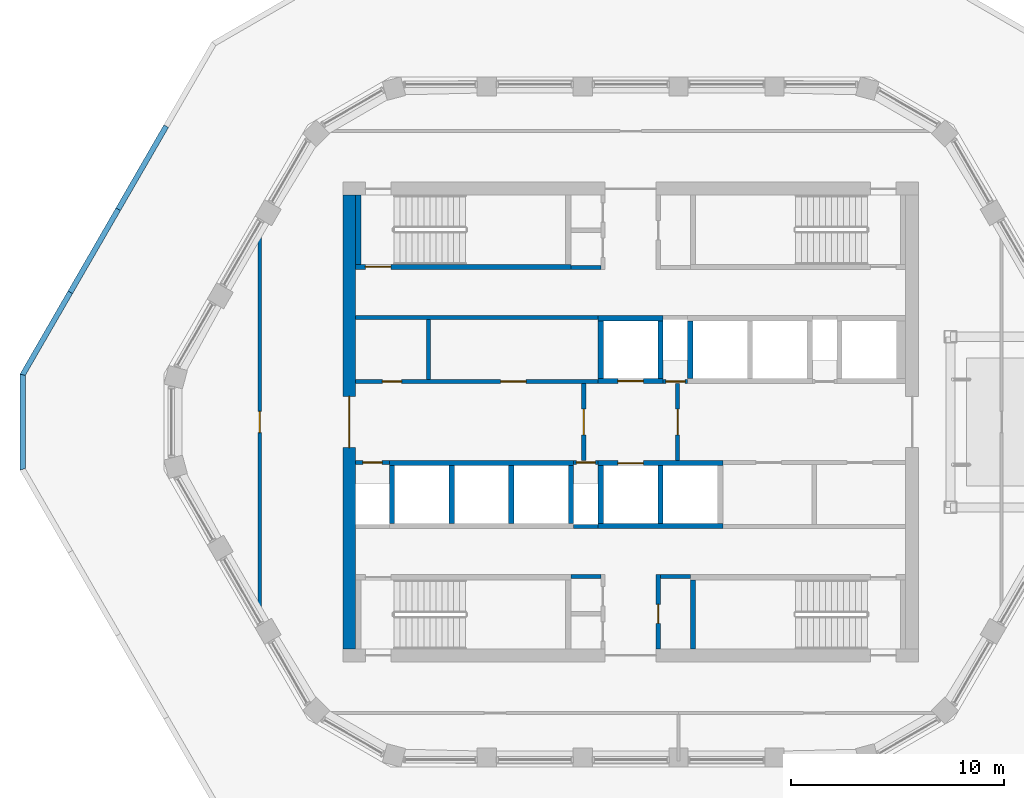
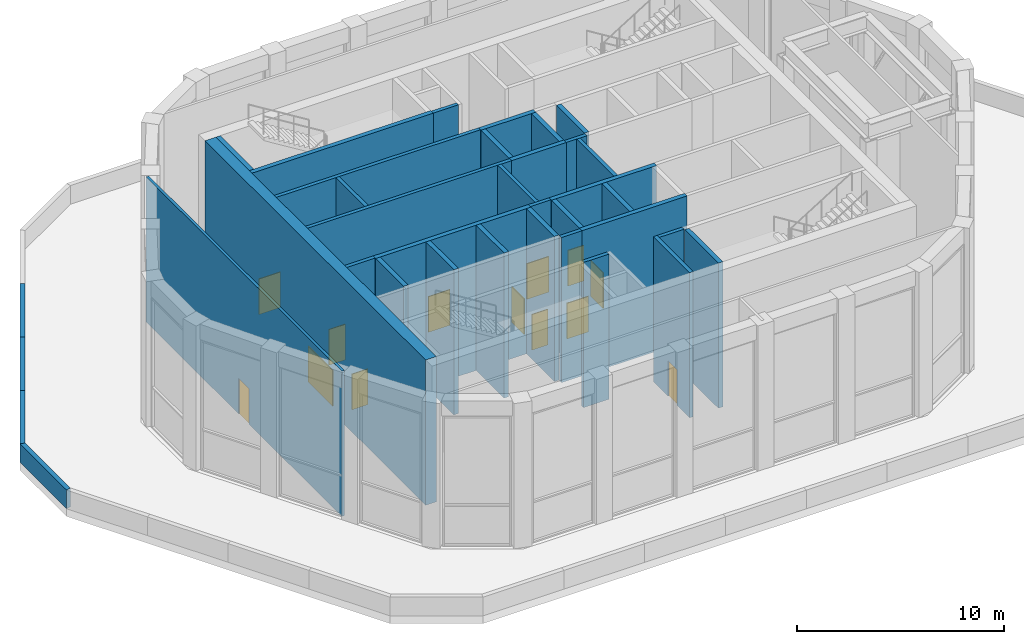
# One storey, part 6 of 11: 36 walls, 13 doors, 13 openings.
"""IFC4 building model written with IfcOpenShell, lengths in metres."""

from ifc_helpers import new_model, si_unit, direction, frame, frame_2d, origin, place, context, subcontext, project, spatial, polyline, rectangle, outline, extrude, material, layer, layer_set, type_object, element, fill, save


model = new_model("IFC4")

# Units and contexts
model_context = context("Model", 3, precision=1e-05, world=origin(), true_north=direction((0.0, 1.0)))
body_context = subcontext(model_context, "Body", "Model", "MODEL_VIEW")
ifc_project = project(units=[si_unit("LENGTHUNIT", "METRE"), si_unit("AREAUNIT", "SQUARE_METRE"), si_unit("VOLUMEUNIT", "CUBIC_METRE"), si_unit("PLANEANGLEUNIT", "RADIAN"), si_unit("MASSUNIT", "GRAM", prefix="KILO")], contexts=[model_context])

# Site, building, storey
site_placement = place(None, origin())
site = spatial("IfcSite", under=ifc_project, at=site_placement, CompositionType="ELEMENT")
building_placement = place(site_placement, origin())
building = spatial("IfcBuilding", under=site, at=building_placement, Name="Dhurran Vertical Campus", CompositionType="ELEMENT")
storey_placement = place(building_placement, frame((0.0, 0.0, 309.89990234375)))
storey = spatial("IfcBuildingStorey", under=building, at=storey_placement, Name="L77 Damper Plant", CompositionType="ELEMENT", Elevation=309.89990234375)

# Walls
ifc_material_1 = material(Name="Precast concrete C50/60", Category="concrete")
ifc_layer_1 = layer(ifc_material_1, 0.25)
ifc_layer_set_1 = layer_set([ifc_layer_1], Name="Precast concrete C50/60")
wall_type_1 = type_object("IfcWallType", Name="Precast parapet 250", PredefinedType="PARAPET", material=ifc_layer_set_1)
wall_1_placement = place(storey_placement, origin())
element("IfcWall", 1, at=wall_1_placement, inside=storey, type_object=wall_type_1, Name="PW1 L77.27", PredefinedType="PARAPET", context=body_context, shape_type="SweptSolid", body=[
    extrude(outline(polyline([(-21.897216796875, 13.94140625), (-24.147216796875, 10.044189453125), (-23.9306640625, 9.919189453125), (-21.6806640625, 13.81640625), (-21.897216796875, 13.94140625)])), origin(), (0.0, 0.0, 1.0), 1.10009765625),
])
wall_2_placement = place(storey_placement, origin())
element("IfcWall", 2, at=wall_2_placement, inside=storey, type_object=wall_type_1, Name="PW1 L77.28", PredefinedType="PARAPET", context=body_context, shape_type="SweptSolid", body=[
    extrude(outline(polyline([(-24.147216796875, 10.044189453125), (-26.397216796875, 6.147216796875), (-26.1806640625, 6.022216796875), (-23.9306640625, 9.919189453125), (-24.147216796875, 10.044189453125)])), origin(), (0.0, 0.0, 1.0), 1.10009765625),
])
wall_3_placement = place(storey_placement, origin())
element("IfcWall", 3, at=wall_3_placement, inside=storey, type_object=wall_type_1, Name="PW1 L77.29", PredefinedType="PARAPET", context=body_context, shape_type="SweptSolid", body=[
    extrude(outline(polyline([(-26.397216796875, 6.147216796875), (-28.647216796875, 2.25), (-28.397216796875, 2.18310546875), (-26.1806640625, 6.022216796875), (-26.397216796875, 6.147216796875)])), origin(), (0.0, 0.0, 1.0), 1.10009765625),
])
wall_4_placement = place(storey_placement, origin())
element("IfcWall", 4, at=wall_4_placement, inside=storey, type_object=wall_type_1, Name="PW1 L77.30", PredefinedType="PARAPET", context=body_context, shape_type="SweptSolid", body=[
    extrude(outline(polyline([(-28.647216796875, 2.25), (-28.647216796875, -2.25), (-28.397216796875, -2.18310546875), (-28.397216796875, 2.18310546875), (-28.647216796875, 2.25)])), origin(), (0.0, 0.0, 1.0), 1.10009765625),
])

# Wall, opening, door
ifc_material_2 = material(Name="Concrete C50/60", Category="concrete")
ifc_layer_2 = layer(ifc_material_2, 0.60009765625)
ifc_layer_set_2 = layer_set([ifc_layer_2], Name="Concrete C50/60")
wall_type_2 = type_object("IfcWallType", Name="co-CORE-WALL-C2-600", PredefinedType="SHEAR", material=ifc_layer_set_2)
wall_5_placement = place(storey_placement, frame((-13.199951171875, -10.64990234375, 0.0), z_axis=(0.0, 0.0, 1.0), x_axis=(0.0, 1.0, 0.0)))
wall_5 = element("IfcWall", 5, at=wall_5_placement, inside=storey, type_object=wall_type_2, Name="Core wall W L77", PredefinedType="SHEAR", context=body_context, shape_type="SweptSolid", body=[
    extrude(rectangle(XDim=21.2998046875, YDim=0.60009765625, at=frame_2d((10.64990234375, 0.0))), origin(), (0.0, 0.0, 1.0), 8.550048828125),
])
opening_1_placement = place(wall_5_placement, frame((9.449951171875, 0.0, 0.0)))
opening_1 = element("IfcOpeningElement", 6, at=opening_1_placement, cuts=wall_5, Name="Opening CL1", PredefinedType="OPENING", context=body_context, shape_type="SweptSolid", body=[
    extrude(rectangle(XDim=2.39990234375, YDim=2.10009765625, at=frame_2d((1.199951171875, 1.050048828125))), frame((0.0, 0.31005859375, 0.0), z_axis=(0.0, -1.0, 0.0), x_axis=(1.0, 0.0, 0.0)), (0.0, 0.0, 1.0), 0.6201171875),
])
ifc_material_3 = material(Name="Fire-rated glazed door set")
door_type_1 = type_object("IfcDoorType", Name="co-D-LOBBY 2400x2100", OperationType="DOUBLE_DOOR_DOUBLE_SWING", PredefinedType="DOOR", material=ifc_material_3)
door_1_placement = place(opening_1_placement, origin())
door_1 = element("IfcDoor", 7, at=door_1_placement, inside=storey, type_object=door_type_1, Name="Lift lobby door W L77", OperationType="DOUBLE_DOOR_DOUBLE_SWING", OverallHeight=2.10009765625, OverallWidth=2.39990234375, PredefinedType="DOOR", context=body_context, shape_type="SweptSolid", body=[
    extrude(rectangle(XDim=2.39990234375, YDim=2.10009765625, at=frame_2d((1.199951171875, 1.050048828125))), frame((0.0, 0.02490234375, 0.0), z_axis=(0.0, -1.0, 0.0), x_axis=(1.0, 0.0, 0.0)), (0.0, 0.0, 1.0), 0.050048828125),
])
fill(opening_1, door_1)

ifc_material_4 = material(Name="Fire-rated masonry blockwork", Category="masonry")
ifc_layer_3 = layer(ifc_material_4, 0.199951171875)
ifc_layer_set_3 = layer_set([ifc_layer_3], Name="Fire-rated masonry blockwork")
wall_type_3 = type_object("IfcWallType", Name="co-FIRE-PARTITION-200", PredefinedType="PARTITIONING", material=ifc_layer_set_3)
wall_6_placement = place(storey_placement, frame((-2.199951171875, -1.800048828125, 0.0), z_axis=(0.0, 0.0, 1.0), x_axis=(0.0, 1.0, 0.0)))
wall_6 = element("IfcWall", 8, at=wall_6_placement, inside=storey, type_object=wall_type_3, Name="Firefighting lobby wall W L77", PredefinedType="PARTITIONING", context=body_context, shape_type="SweptSolid", body=[
    extrude(rectangle(XDim=3.60009765625, YDim=0.199951171875, at=frame_2d((1.800048828125, 0.0))), origin(), (0.0, 0.0, 1.0), 8.550048828125),
])
opening_2_placement = place(wall_6_placement, frame((1.199951171875, 0.0, 0.0)))
opening_2 = element("IfcOpeningElement", 9, at=opening_2_placement, cuts=wall_6, Name="Opening FL1", PredefinedType="OPENING", context=body_context, shape_type="SweptSolid", body=[
    extrude(rectangle(XDim=1.199951171875, YDim=2.10009765625, at=frame_2d((0.60009765625, 1.050048828125))), frame((0.0, 0.10986328125, 0.0), z_axis=(0.0, -1.0, 0.0), x_axis=(1.0, 0.0, 0.0)), (0.0, 0.0, 1.0), 0.219970703125),
])
ifc_material_5 = material(Name="Fire-rated steel door set", Category="steel")
door_type_2 = type_object("IfcDoorType", Name="co-D-FFLOBBY 1200x2100", OperationType="SINGLE_SWING_LEFT", PredefinedType="DOOR", material=ifc_material_5)
door_2_placement = place(opening_2_placement, origin())
door_2 = element("IfcDoor", 10, at=door_2_placement, inside=storey, type_object=door_type_2, Name="Firefighting lobby door W L77", OperationType="SINGLE_SWING_LEFT", OverallHeight=2.10009765625, OverallWidth=1.199951171875, PredefinedType="DOOR", context=body_context, shape_type="SweptSolid", body=[
    extrude(rectangle(XDim=1.199951171875, YDim=2.10009765625, at=frame_2d((0.60009765625, 1.050048828125))), frame((0.0, 0.02490234375, 0.0), z_axis=(0.0, -1.0, 0.0), x_axis=(1.0, 0.0, 0.0)), (0.0, 0.0, 1.0), 0.050048828125),
])
fill(opening_2, door_2)

wall_7_placement = place(storey_placement, frame((2.199951171875, -1.800048828125, 0.0), z_axis=(0.0, 0.0, 1.0), x_axis=(0.0, 1.0, 0.0)))
wall_7 = element("IfcWall", 11, at=wall_7_placement, inside=storey, type_object=wall_type_3, Name="Firefighting lobby wall E L77", PredefinedType="PARTITIONING", context=body_context, shape_type="SweptSolid", body=[
    extrude(rectangle(XDim=3.60009765625, YDim=0.199951171875, at=frame_2d((1.800048828125, 0.0))), origin(), (0.0, 0.0, 1.0), 8.550048828125),
])
opening_3_placement = place(wall_7_placement, frame((1.199951171875, 0.0, 0.0)))
opening_3 = element("IfcOpeningElement", 12, at=opening_3_placement, cuts=wall_7, Name="Opening FL2", PredefinedType="OPENING", context=body_context, shape_type="SweptSolid", body=[
    extrude(rectangle(XDim=1.199951171875, YDim=2.10009765625, at=frame_2d((0.60009765625, 1.050048828125))), frame((0.0, 0.10986328125, 0.0), z_axis=(0.0, -1.0, 0.0), x_axis=(1.0, 0.0, 0.0)), (0.0, 0.0, 1.0), 0.219970703125),
])
door_3_placement = place(opening_3_placement, origin())
door_3 = element("IfcDoor", 13, at=door_3_placement, inside=storey, type_object=door_type_2, Name="Firefighting lobby door E L77", OperationType="SINGLE_SWING_LEFT", OverallHeight=2.10009765625, OverallWidth=1.199951171875, PredefinedType="DOOR", context=body_context, shape_type="SweptSolid", body=[
    extrude(rectangle(XDim=1.199951171875, YDim=2.10009765625, at=frame_2d((0.60009765625, 1.050048828125))), frame((0.0, 0.02490234375, 0.0), z_axis=(0.0, -1.0, 0.0), x_axis=(1.0, 0.0, 0.0)), (0.0, 0.0, 1.0), 0.050048828125),
])
fill(opening_3, door_3)

# Walls
for number, where, z_axis, x_axis, name in (
    (14, (-2.800048828125, 7.25, 0.0), (0.0, 0.0, 1.0), (1.0, 0.0, 0.0), "Core partition sl-NW-S L77"),
    (15, (-2.800048828125, -7.25, 0.0), (0.0, 0.0, 1.0), (1.0, 0.0, 0.0), "Core partition sl-SW-S L77"),
    (16, (1.39990234375, -7.25, 0.0), (0.0, 0.0, 1.0), (1.0, 0.0, 0.0), "Core partition sl-SE-S L77"),
):
    element("IfcWall", number, at=place(storey_placement, frame(where, z_axis=z_axis, x_axis=x_axis)), inside=storey, type_object=wall_type_3, Name=name, PredefinedType="PARTITIONING", context=body_context, shape_type="SweptSolid", body=[
        extrude(rectangle(XDim=1.400146484375, YDim=0.199951171875, at=frame_2d((0.7001953125, 0.0))), origin(), (0.0, 0.0, 1.0), 8.550048828125),
    ])

# Wall, opening, door
wall_8_placement = place(storey_placement, frame((1.300048828125, -10.64990234375, 0.0), z_axis=(0.0, 0.0, 1.0), x_axis=(0.0, 1.0, 0.0)))
wall_8 = element("IfcWall", 17, at=wall_8_placement, inside=storey, type_object=wall_type_3, Name="Core partition vest-SE L77", PredefinedType="PARTITIONING", context=body_context, shape_type="SweptSolid", body=[
    extrude(rectangle(XDim=3.5, YDim=0.199951171875, at=frame_2d((1.75, 0.0))), origin(), (0.0, 0.0, 1.0), 8.550048828125),
])
opening_4_placement = place(wall_8_placement, frame((1.199951171875, 0.0, 0.0)))
opening_4 = element("IfcOpeningElement", 18, at=opening_4_placement, cuts=wall_8, Name="Opening CR77-C3", PredefinedType="OPENING", context=body_context, shape_type="SweptSolid", body=[
    extrude(rectangle(XDim=0.89990234375, YDim=2.10009765625, at=frame_2d((0.449951171875, 1.050048828125))), frame((0.0, 0.10986328125, 0.0), z_axis=(0.0, -1.0, 0.0), x_axis=(1.0, 0.0, 0.0)), (0.0, 0.0, 1.0), 0.219970703125),
])
ifc_material_6 = material(Name="Fire-rated timber door set", Category="wood")
door_type_3 = type_object("IfcDoorType", Name="co-D-ROOM 900x2100", OperationType="SINGLE_SWING_LEFT", PredefinedType="DOOR", material=ifc_material_6)
door_4_placement = place(opening_4_placement, origin())
door_4 = element("IfcDoor", 19, at=door_4_placement, inside=storey, type_object=door_type_3, Name="Waste room door L77", OperationType="SINGLE_SWING_LEFT", OverallHeight=2.10009765625, OverallWidth=0.89990234375, PredefinedType="DOOR", context=body_context, shape_type="SweptSolid", body=[
    extrude(rectangle(XDim=0.89990234375, YDim=2.10009765625, at=frame_2d((0.449951171875, 1.050048828125))), frame((0.0, 0.02490234375, 0.0), z_axis=(0.0, -1.0, 0.0), x_axis=(1.0, 0.0, 0.0)), (0.0, 0.0, 1.0), 0.050048828125),
])
fill(opening_4, door_4)

# Wall
wall_9_placement = place(storey_placement, frame((-9.487548828125, 2.0, 0.0), z_axis=(0.0, 0.0, 1.0), x_axis=(0.0, 1.0, 0.0)))
element("IfcWall", 20, at=wall_9_placement, inside=storey, type_object=wall_type_3, Name="Core partition fr-N0-cut0 L77", PredefinedType="PARTITIONING", context=body_context, shape_type="SweptSolid", body=[
    extrude(rectangle(XDim=2.800048828125, YDim=0.199951171875, at=frame_2d((1.39990234375, 0.0))), origin(), (0.0, 0.0, 1.0), 8.550048828125),
])

# Wall, openings, doors
wall_10_placement = place(storey_placement, frame((-12.89990234375, 1.89990234375, 0.0), z_axis=(0.0, 0.0, 1.0), x_axis=(1.0, 0.0, 0.0)))
wall_10 = element("IfcWall", 21, at=wall_10_placement, inside=storey, type_object=wall_type_3, Name="Core partition fr-N0-f L77", PredefinedType="PARTITIONING", context=body_context, shape_type="SweptSolid", body=[
    extrude(rectangle(XDim=11.375, YDim=0.199951171875, at=frame_2d((5.6875, 0.0))), origin(), (0.0, 0.0, 1.0), 8.550048828125),
])
opening_5_placement = place(wall_10_placement, frame((1.25634765625, 0.0, 0.0)))
opening_5 = element("IfcOpeningElement", 22, at=opening_5_placement, cuts=wall_10, Name="Opening CR77-C7", PredefinedType="OPENING", context=body_context, shape_type="SweptSolid", body=[
    extrude(rectangle(XDim=0.89990234375, YDim=2.10009765625, at=frame_2d((0.449951171875, 1.050048828125))), frame((0.0, 0.10986328125, 0.0), z_axis=(0.0, -1.0, 0.0), x_axis=(1.0, 0.0, 0.0)), (0.0, 0.0, 1.0), 0.219970703125),
])
opening_6_placement = place(wall_10_placement, frame((6.793701171875, 0.0, 0.0)))
opening_6 = element("IfcOpeningElement", 23, at=opening_6_placement, cuts=wall_10, Name="Opening CR77-C8", PredefinedType="OPENING", context=body_context, shape_type="SweptSolid", body=[
    extrude(rectangle(XDim=1.199951171875, YDim=2.10009765625, at=frame_2d((0.60009765625, 1.050048828125))), frame((0.0, 0.10986328125, 0.0), z_axis=(0.0, -1.0, 0.0), x_axis=(1.0, 0.0, 0.0)), (0.0, 0.0, 1.0), 0.219970703125),
])
door_5_placement = place(opening_5_placement, origin())
door_5 = element("IfcDoor", 24, at=door_5_placement, inside=storey, type_object=door_type_3, Name="Housekeeping store door L77", OperationType="SINGLE_SWING_LEFT", OverallHeight=2.10009765625, OverallWidth=0.89990234375, PredefinedType="DOOR", context=body_context, shape_type="SweptSolid", body=[
    extrude(rectangle(XDim=0.89990234375, YDim=2.10009765625, at=frame_2d((0.449951171875, 1.050048828125))), frame((0.0, 0.02490234375, 0.0), z_axis=(0.0, -1.0, 0.0), x_axis=(1.0, 0.0, 0.0)), (0.0, 0.0, 1.0), 0.050048828125),
])
fill(opening_5, door_5)
ifc_material_7 = material(Name="Fire-rated steel door set", Category="steel")
door_type_4 = type_object("IfcDoorType", Name="co-D-ROOM-PASSAGE 1200x2100", OperationType="SINGLE_SWING_RIGHT", PredefinedType="DOOR", material=ifc_material_7)
door_6_placement = place(opening_6_placement, origin())
door_6 = element("IfcDoor", 25, at=door_6_placement, inside=storey, type_object=door_type_4, Name="Store door L77", OperationType="SINGLE_SWING_RIGHT", OverallHeight=2.10009765625, OverallWidth=1.199951171875, PredefinedType="DOOR", context=body_context, shape_type="SweptSolid", body=[
    extrude(rectangle(XDim=1.199951171875, YDim=2.10009765625, at=frame_2d((0.60009765625, 1.050048828125))), frame((0.0, 0.02490234375, 0.0), z_axis=(0.0, -1.0, 0.0), x_axis=(1.0, 0.0, 0.0)), (0.0, 0.0, 1.0), 0.050048828125),
])
fill(opening_6, door_6)

# Wall
wall_11_placement = place(storey_placement, frame((-12.89990234375, 4.89990234375, 0.0), z_axis=(0.0, 0.0, 1.0), x_axis=(1.0, 0.0, 0.0)))
element("IfcWall", 26, at=wall_11_placement, inside=storey, type_object=wall_type_3, Name="Core partition fr-N0-b L77", PredefinedType="PARTITIONING", context=body_context, shape_type="SweptSolid", body=[
    extrude(rectangle(XDim=11.375, YDim=0.199951171875, at=frame_2d((5.6875, 0.0))), origin(), (0.0, 0.0, 1.0), 8.550048828125),
])

# Wall, opening, door
wall_12_placement = place(storey_placement, frame((1.52490234375, 1.89990234375, 0.0), z_axis=(0.0, 0.0, 1.0), x_axis=(1.0, 0.0, 0.0)))
wall_12 = element("IfcWall", 27, at=wall_12_placement, inside=storey, type_object=wall_type_3, Name="Core partition fr-N1-f L77", PredefinedType="PARTITIONING", context=body_context, shape_type="SweptSolid", body=[
    extrude(rectangle(XDim=1.150146484375, YDim=0.199951171875, at=frame_2d((0.5751953125, 0.0))), origin(), (0.0, 0.0, 1.0), 8.550048828125),
])
opening_7_placement = place(wall_12_placement, frame((0.125, 0.0, 0.0)))
opening_7 = element("IfcOpeningElement", 28, at=opening_7_placement, cuts=wall_12, Name="Opening CR77-C9", PredefinedType="OPENING", context=body_context, shape_type="SweptSolid", body=[
    extrude(rectangle(XDim=0.89990234375, YDim=2.10009765625, at=frame_2d((0.449951171875, 1.050048828125))), frame((0.0, 0.10986328125, 0.0), z_axis=(0.0, -1.0, 0.0), x_axis=(1.0, 0.0, 0.0)), (0.0, 0.0, 1.0), 0.219970703125),
])
door_7_placement = place(opening_7_placement, origin())
door_7 = element("IfcDoor", 29, at=door_7_placement, inside=storey, type_object=door_type_3, Name="Communications riser door L77", OperationType="SINGLE_SWING_LEFT", OverallHeight=2.10009765625, OverallWidth=0.89990234375, PredefinedType="DOOR", context=body_context, shape_type="SweptSolid", body=[
    extrude(rectangle(XDim=0.89990234375, YDim=2.10009765625, at=frame_2d((0.449951171875, 1.050048828125))), frame((0.0, 0.02490234375, 0.0), z_axis=(0.0, -1.0, 0.0), x_axis=(1.0, 0.0, 0.0)), (0.0, 0.0, 1.0), 0.050048828125),
])
fill(opening_7, door_7)

wall_13_placement = place(storey_placement, frame((-12.89990234375, -1.89990234375, 0.0), z_axis=(0.0, 0.0, 1.0), x_axis=(1.0, 0.0, 0.0)))
wall_13 = element("IfcWall", 30, at=wall_13_placement, inside=storey, type_object=wall_type_3, Name="Core partition fr-S0-f L77", PredefinedType="PARTITIONING", context=body_context, shape_type="SweptSolid", body=[
    extrude(rectangle(XDim=1.574951171875, YDim=0.199951171875, at=frame_2d((0.78759765625, 0.0))), origin(), (0.0, 0.0, 1.0), 8.550048828125),
])
opening_8_placement = place(wall_13_placement, frame((0.33740234375, 0.0, 0.0)))
opening_8 = element("IfcOpeningElement", 31, at=opening_8_placement, cuts=wall_13, Name="Opening CR77-C11", PredefinedType="OPENING", context=body_context, shape_type="SweptSolid", body=[
    extrude(rectangle(XDim=0.89990234375, YDim=2.10009765625, at=frame_2d((0.449951171875, 1.050048828125))), frame((0.0, 0.10986328125, 0.0), z_axis=(0.0, -1.0, 0.0), x_axis=(1.0, 0.0, 0.0)), (0.0, 0.0, 1.0), 0.219970703125),
])
door_8_placement = place(opening_8_placement, origin())
door_8 = element("IfcDoor", 32, at=door_8_placement, inside=storey, type_object=door_type_3, Name="Water riser door L77", OperationType="SINGLE_SWING_LEFT", OverallHeight=2.10009765625, OverallWidth=0.89990234375, PredefinedType="DOOR", context=body_context, shape_type="SweptSolid", body=[
    extrude(rectangle(XDim=0.89990234375, YDim=2.10009765625, at=frame_2d((0.449951171875, 1.050048828125))), frame((0.0, 0.02490234375, 0.0), z_axis=(0.0, -1.0, 0.0), x_axis=(1.0, 0.0, 0.0)), (0.0, 0.0, 1.0), 0.050048828125),
])
fill(opening_8, door_8)

wall_14_placement = place(storey_placement, frame((-2.675048828125, -1.89990234375, 0.0), z_axis=(0.0, 0.0, 1.0), x_axis=(1.0, 0.0, 0.0)))
wall_14 = element("IfcWall", 33, at=wall_14_placement, inside=storey, type_object=wall_type_3, Name="Core partition fr-S1-f L77", PredefinedType="PARTITIONING", context=body_context, shape_type="SweptSolid", body=[
    extrude(rectangle(XDim=1.150146484375, YDim=0.199951171875, at=frame_2d((0.5751953125, 0.0))), origin(), (0.0, 0.0, 1.0), 8.550048828125),
])
opening_9_placement = place(wall_14_placement, frame((0.125, 0.0, 0.0)))
opening_9 = element("IfcOpeningElement", 34, at=opening_9_placement, cuts=wall_14, Name="Opening CR77-C12", PredefinedType="OPENING", context=body_context, shape_type="SweptSolid", body=[
    extrude(rectangle(XDim=0.89990234375, YDim=2.10009765625, at=frame_2d((0.449951171875, 1.050048828125))), frame((0.0, 0.10986328125, 0.0), z_axis=(0.0, -1.0, 0.0), x_axis=(1.0, 0.0, 0.0)), (0.0, 0.0, 1.0), 0.219970703125),
])
door_9_placement = place(opening_9_placement, origin())
door_9 = element("IfcDoor", 35, at=door_9_placement, inside=storey, type_object=door_type_3, Name="Electrical riser door L77", OperationType="SINGLE_SWING_LEFT", OverallHeight=2.10009765625, OverallWidth=0.89990234375, PredefinedType="DOOR", context=body_context, shape_type="SweptSolid", body=[
    extrude(rectangle(XDim=0.89990234375, YDim=2.10009765625, at=frame_2d((0.449951171875, 1.050048828125))), frame((0.0, 0.02490234375, 0.0), z_axis=(0.0, -1.0, 0.0), x_axis=(1.0, 0.0, 0.0)), (0.0, 0.0, 1.0), 0.050048828125),
])
fill(opening_9, door_9)

# Wall
wall_15_placement = place(storey_placement, frame((-2.675048828125, -4.89990234375, 0.0), z_axis=(0.0, 0.0, 1.0), x_axis=(1.0, 0.0, 0.0)))
element("IfcWall", 36, at=wall_15_placement, inside=storey, type_object=wall_type_3, Name="Core partition fr-S1-b L77", PredefinedType="PARTITIONING", context=body_context, shape_type="SweptSolid", body=[
    extrude(rectangle(XDim=1.150146484375, YDim=0.199951171875, at=frame_2d((0.5751953125, 0.0))), origin(), (0.0, 0.0, 1.0), 8.550048828125),
])

# Wall, opening, door
ifc_material_8 = material(Name="Concrete C50/60", Category="concrete")
ifc_layer_4 = layer(ifc_material_8, 0.25)
ifc_layer_set_4 = layer_set([ifc_layer_4], Name="Concrete C50/60")
wall_type_4 = type_object("IfcWallType", Name="co-SHAFT-FRONT-250", PredefinedType="SHEAR", material=ifc_layer_set_4)
wall_16_placement = place(storey_placement, frame((-1.52490234375, 1.925048828125, 0.0), z_axis=(0.0, 0.0, 1.0), x_axis=(1.0, 0.0, 0.0)))
wall_16 = element("IfcWall", 37, at=wall_16_placement, inside=storey, type_object=wall_type_4, Name="Lift landing wall N L77", PredefinedType="SHEAR", context=body_context, shape_type="SweptSolid", body=[
    extrude(rectangle(XDim=3.0498046875, YDim=0.25, at=frame_2d((1.52490234375, 0.0))), origin(), (0.0, 0.0, 1.0), 8.550048828125),
])
opening_10_placement = place(wall_16_placement, frame((0.925048828125, 0.0, 0.0)))
opening_10 = element("IfcOpeningElement", 38, at=opening_10_placement, cuts=wall_16, Name="Opening LD", PredefinedType="OPENING", context=body_context, shape_type="SweptSolid", body=[
    extrude(rectangle(XDim=1.199951171875, YDim=2.10009765625, at=frame_2d((0.60009765625, 1.050048828125))), frame((0.0, 0.135009765625, 0.0), z_axis=(0.0, -1.0, 0.0), x_axis=(1.0, 0.0, 0.0)), (0.0, 0.0, 1.0), 0.27001953125),
])
ifc_material_9 = material(Name="Stainless steel landing door", Category="steel")
door_type_5 = type_object("IfcDoorType", Name="co-D-LANDING 1200x2100", OperationType="DOUBLE_DOOR_SLIDING", PredefinedType="DOOR", material=ifc_material_9)
door_10_placement = place(opening_10_placement, origin())
door_10 = element("IfcDoor", 39, at=door_10_placement, inside=storey, type_object=door_type_5, Name="Landing door FF1 L77", OperationType="DOUBLE_DOOR_SLIDING", OverallHeight=2.10009765625, OverallWidth=1.199951171875, PredefinedType="DOOR", context=body_context, shape_type="SweptSolid", body=[
    extrude(rectangle(XDim=1.199951171875, YDim=2.10009765625, at=frame_2d((0.60009765625, 1.050048828125))), frame((0.0, 0.02490234375, 0.0), z_axis=(0.0, -1.0, 0.0), x_axis=(1.0, 0.0, 0.0)), (0.0, 0.0, 1.0), 0.050048828125),
])
fill(opening_10, door_10)

# Wall
wall_17_placement = place(storey_placement, frame((-11.324951171875, -1.925048828125, 0.0), z_axis=(0.0, 0.0, 1.0), x_axis=(1.0, 0.0, 0.0)))
element("IfcWall", 40, at=wall_17_placement, inside=storey, type_object=wall_type_4, Name="Lift landing wall S L77", PredefinedType="SHEAR", context=body_context, shape_type="SweptSolid", body=[
    extrude(rectangle(XDim=8.64990234375, YDim=0.25, at=frame_2d((4.324951171875, 0.0))), origin(), (0.0, 0.0, 1.0), 8.550048828125),
])

# Wall, opening, door
wall_18_placement = place(storey_placement, frame((-1.52490234375, -1.925048828125, 0.0), z_axis=(0.0, 0.0, 1.0), x_axis=(1.0, 0.0, 0.0)))
wall_18 = element("IfcWall", 41, at=wall_18_placement, inside=storey, type_object=wall_type_4, Name="Lift landing wall S L77", PredefinedType="SHEAR", context=body_context, shape_type="SweptSolid", body=[
    extrude(rectangle(XDim=5.849853515625, YDim=0.25, at=frame_2d((2.9248046875, 0.0))), origin(), (0.0, 0.0, 1.0), 8.550048828125),
])
opening_11_placement = place(wall_18_placement, frame((0.925048828125, 0.0, 0.0)))
opening_11 = element("IfcOpeningElement", 42, at=opening_11_placement, cuts=wall_18, Name="Opening LD", PredefinedType="OPENING", context=body_context, shape_type="SweptSolid", body=[
    extrude(rectangle(XDim=1.199951171875, YDim=2.10009765625, at=frame_2d((0.60009765625, 1.050048828125))), frame((0.0, 0.135009765625, 0.0), z_axis=(0.0, -1.0, 0.0), x_axis=(1.0, 0.0, 0.0)), (0.0, 0.0, 1.0), 0.27001953125),
])
door_11_placement = place(opening_11_placement, origin())
door_11 = element("IfcDoor", 43, at=door_11_placement, inside=storey, type_object=door_type_5, Name="Landing door FF2 L77", OperationType="DOUBLE_DOOR_SLIDING", OverallHeight=2.10009765625, OverallWidth=1.199951171875, PredefinedType="DOOR", context=body_context, shape_type="SweptSolid", body=[
    extrude(rectangle(XDim=1.199951171875, YDim=2.10009765625, at=frame_2d((0.60009765625, 1.050048828125))), frame((0.0, 0.02490234375, 0.0), z_axis=(0.0, -1.0, 0.0), x_axis=(1.0, 0.0, 0.0)), (0.0, 0.0, 1.0), 0.050048828125),
])
fill(opening_11, door_11)

# Walls
ifc_material_10 = material(Name="Concrete C50/60", Category="concrete")
ifc_layer_5 = layer(ifc_material_10, 0.25)
ifc_layer_set_5 = layer_set([ifc_layer_5], Name="Concrete C50/60")
wall_type_5 = type_object("IfcWallType", Name="co-SHAFT-MASS-250", PredefinedType="SHEAR", material=ifc_layer_set_5)
wall_19_placement = place(storey_placement, origin())
element("IfcWall", 44, at=wall_19_placement, inside=storey, type_object=wall_type_5, Name="Lift shaft wall N L77 1", PredefinedType="SHEAR", context=body_context, shape_type="SweptSolid", body=[
    extrude(outline(polyline([(-1.52490234375, 4.75), (1.52490234375, 4.75), (1.52490234375, 5.0), (-1.52490234375, 5.0), (-1.52490234375, 4.75)])), origin(), (0.0, 0.0, 1.0), 8.550048828125),
])
wall_20_placement = place(storey_placement, origin())
element("IfcWall", 45, at=wall_20_placement, inside=storey, type_object=wall_type_5, Name="Lift shaft wall N L77 4", PredefinedType="SHEAR", context=body_context, shape_type="SweptSolid", body=[
    extrude(outline(polyline([(-1.52490234375, 2.050048828125), (-1.27490234375, 2.050048828125), (-1.27490234375, 4.75), (-1.52490234375, 4.75), (-1.52490234375, 2.050048828125)])), origin(), (0.0, 0.0, 1.0), 8.550048828125),
])
wall_21_placement = place(storey_placement, origin())
element("IfcWall", 46, at=wall_21_placement, inside=storey, type_object=wall_type_5, Name="Lift shaft wall N L77 5", PredefinedType="SHEAR", context=body_context, shape_type="SweptSolid", body=[
    extrude(outline(polyline([(1.27490234375, 2.050048828125), (1.52490234375, 2.050048828125), (1.52490234375, 4.75), (1.27490234375, 4.75), (1.27490234375, 2.050048828125)])), origin(), (0.0, 0.0, 1.0), 8.550048828125),
])
wall_22_placement = place(storey_placement, origin())
element("IfcWall", 47, at=wall_22_placement, inside=storey, type_object=wall_type_5, Name="Lift shaft wall N L77 6", PredefinedType="SHEAR", context=body_context, shape_type="SweptSolid", body=[
    extrude(outline(polyline([(2.675048828125, 2.050048828125), (2.925048828125, 2.050048828125), (2.925048828125, 4.75), (2.675048828125, 4.75), (2.675048828125, 2.050048828125)])), origin(), (0.0, 0.0, 1.0), 8.550048828125),
])
wall_23_placement = place(storey_placement, origin())
element("IfcWall", 48, at=wall_23_placement, inside=storey, type_object=wall_type_5, Name="Lift shaft wall S L77 2", PredefinedType="SHEAR", context=body_context, shape_type="SweptSolid", body=[
    extrude(outline(polyline([(-1.52490234375, -5.0), (4.324951171875, -5.0), (4.324951171875, -4.75), (-1.52490234375, -4.75), (-1.52490234375, -5.0)])), origin(), (0.0, 0.0, 1.0), 8.550048828125),
])
wall_24_placement = place(storey_placement, origin())
element("IfcWall", 49, at=wall_24_placement, inside=storey, type_object=wall_type_5, Name="Lift shaft wall S L77 3", PredefinedType="SHEAR", context=body_context, shape_type="SweptSolid", body=[
    extrude(outline(polyline([(-11.324951171875, -4.75), (-11.074951171875, -4.75), (-11.074951171875, -2.050048828125), (-11.324951171875, -2.050048828125), (-11.324951171875, -4.75)])), origin(), (0.0, 0.0, 1.0), 8.550048828125),
])
wall_25_placement = place(storey_placement, origin())
element("IfcWall", 50, at=wall_25_placement, inside=storey, type_object=wall_type_5, Name="Lift shaft wall S L77 4", PredefinedType="SHEAR", context=body_context, shape_type="SweptSolid", body=[
    extrude(outline(polyline([(-8.52490234375, -4.75), (-8.27490234375, -4.75), (-8.27490234375, -2.050048828125), (-8.52490234375, -2.050048828125), (-8.52490234375, -4.75)])), origin(), (0.0, 0.0, 1.0), 8.550048828125),
])
wall_26_placement = place(storey_placement, origin())
element("IfcWall", 51, at=wall_26_placement, inside=storey, type_object=wall_type_5, Name="Lift shaft wall S L77 5", PredefinedType="SHEAR", context=body_context, shape_type="SweptSolid", body=[
    extrude(outline(polyline([(-5.72509765625, -4.75), (-5.47509765625, -4.75), (-5.47509765625, -2.050048828125), (-5.72509765625, -2.050048828125), (-5.72509765625, -4.75)])), origin(), (0.0, 0.0, 1.0), 8.550048828125),
])
wall_27_placement = place(storey_placement, origin())
element("IfcWall", 52, at=wall_27_placement, inside=storey, type_object=wall_type_5, Name="Lift shaft wall S L77 6", PredefinedType="SHEAR", context=body_context, shape_type="SweptSolid", body=[
    extrude(outline(polyline([(-2.925048828125, -4.75), (-2.675048828125, -4.75), (-2.675048828125, -2.050048828125), (-2.925048828125, -2.050048828125), (-2.925048828125, -4.75)])), origin(), (0.0, 0.0, 1.0), 8.550048828125),
])
wall_28_placement = place(storey_placement, origin())
element("IfcWall", 53, at=wall_28_placement, inside=storey, type_object=wall_type_5, Name="Lift shaft wall S L77 7", PredefinedType="SHEAR", context=body_context, shape_type="SweptSolid", body=[
    extrude(outline(polyline([(-1.52490234375, -4.75), (-1.27490234375, -4.75), (-1.27490234375, -2.050048828125), (-1.52490234375, -2.050048828125), (-1.52490234375, -4.75)])), origin(), (0.0, 0.0, 1.0), 8.550048828125),
])
wall_29_placement = place(storey_placement, origin())
element("IfcWall", 54, at=wall_29_placement, inside=storey, type_object=wall_type_5, Name="Lift shaft wall S L77 8", PredefinedType="SHEAR", context=body_context, shape_type="SweptSolid", body=[
    extrude(outline(polyline([(1.27490234375, -4.75), (1.52490234375, -4.75), (1.52490234375, -2.050048828125), (1.27490234375, -2.050048828125), (1.27490234375, -4.75)])), origin(), (0.0, 0.0, 1.0), 8.550048828125),
])

# Wall, opening, door
ifc_material_11 = material(Name="Concrete C40/50", Category="concrete")
ifc_layer_6 = layer(ifc_material_11, 0.25)
ifc_layer_set_6 = layer_set([ifc_layer_6], Name="Concrete C40/50")
wall_type_6 = type_object("IfcWallType", Name="co-STAIR-WALL-250", PredefinedType="SHEAR", material=ifc_layer_set_6)
wall_30_placement = place(storey_placement, frame((-12.89990234375, 7.27490234375, 0.0), z_axis=(0.0, 0.0, 1.0), x_axis=(1.0, 0.0, 0.0)))
wall_30 = element("IfcWall", 55, at=wall_30_placement, inside=storey, type_object=wall_type_6, Name="Stair ST1 enclosure wall L77", PredefinedType="SHEAR", context=body_context, shape_type="SweptSolid", body=[
    extrude(rectangle(XDim=10.099853515625, YDim=0.25, at=frame_2d((5.0498046875, 0.0))), origin(), (0.0, 0.0, 1.0), 8.550048828125),
])
opening_12_placement = place(wall_30_placement, frame((0.449951171875, 0.0, 0.0)))
opening_12 = element("IfcOpeningElement", 56, at=opening_12_placement, cuts=wall_30, Name="Opening SD1", PredefinedType="OPENING", context=body_context, shape_type="SweptSolid", body=[
    extrude(rectangle(XDim=1.199951171875, YDim=2.10009765625, at=frame_2d((0.60009765625, 1.050048828125))), frame((0.0, 0.135009765625, 0.0), z_axis=(0.0, -1.0, 0.0), x_axis=(1.0, 0.0, 0.0)), (0.0, 0.0, 1.0), 0.27001953125),
])
ifc_material_12 = material(Name="Fire-rated steel door set", Category="steel")
door_type_6 = type_object("IfcDoorType", Name="co-D-STAIR 1200x2100", OperationType="SINGLE_SWING_LEFT", PredefinedType="DOOR", material=ifc_material_12)
door_12_placement = place(opening_12_placement, origin())
door_12 = element("IfcDoor", 57, at=door_12_placement, inside=storey, type_object=door_type_6, Name="Stair ST1 door L77", OperationType="SINGLE_SWING_LEFT", OverallHeight=2.10009765625, OverallWidth=1.199951171875, PredefinedType="DOOR", context=body_context, shape_type="SweptSolid", body=[
    extrude(rectangle(XDim=1.199951171875, YDim=2.10009765625, at=frame_2d((0.60009765625, 1.050048828125))), frame((0.0, 0.02490234375, 0.0), z_axis=(0.0, -1.0, 0.0), x_axis=(1.0, 0.0, 0.0)), (0.0, 0.0, 1.0), 0.050048828125),
])
fill(opening_12, door_12)

# Walls
for number, where, z_axis, x_axis, name in (
    (58, (-12.77490234375, 7.39990234375, 0.0), (0.0, 0.0, 1.0), (0.0, 1.0, 0.0), "Stair ST1 enclosure wall L77"),
    (59, (2.925048828125, -10.64990234375, 0.0), (0.0, 0.0, 1.0), (0.0, 1.0, 0.0), "Stair ST4 enclosure wall L77"),
):
    element("IfcWall", number, at=place(storey_placement, frame(where, z_axis=z_axis, x_axis=x_axis)), inside=storey, type_object=wall_type_6, Name=name, PredefinedType="SHEAR", context=body_context, shape_type="SweptSolid", body=[
        extrude(rectangle(XDim=3.25, YDim=0.25, at=frame_2d((1.625, 0.0))), origin(), (0.0, 0.0, 1.0), 8.550048828125),
    ])

# Wall, opening, door
ifc_material_13 = material(Name="Gypsum board corridor wall on steel studs", Category="steel")
ifc_layer_7 = layer(ifc_material_13, 0.14990234375)
ifc_layer_set_7 = layer_set([ifc_layer_7], Name="Gypsum board corridor wall on steel studs")
wall_type_7 = type_object("IfcWallType", Name="fl-CW-150 corridor wall", PredefinedType="PARTITIONING", material=ifc_layer_set_7)
wall_31_placement = place(storey_placement, frame((-17.39990234375, 9.43896484375, 0.0), z_axis=(0.0, 0.0, 1.0), x_axis=(0.0, -1.0, 0.0)))
wall_31 = element("IfcWall", 60, at=wall_31_placement, inside=storey, type_object=wall_type_7, Name="Partition 77-01", PredefinedType="PARTITIONING", context=body_context, shape_type="SweptSolid", body=[
    extrude(rectangle(XDim=18.8779296875, YDim=0.14990234375, at=frame_2d((9.43896484375, 0.0))), origin(), (0.0, 0.0, 1.0), 8.550048828125),
])
opening_13_placement = place(wall_31_placement, frame((8.93896484375, 0.0, 0.0)))
opening_13 = element("IfcOpeningElement", 61, at=opening_13_placement, cuts=wall_31, Name="Opening CR77.01", PredefinedType="OPENING", context=body_context, shape_type="SweptSolid", body=[
    extrude(rectangle(XDim=1.0, YDim=2.10009765625, at=frame_2d((0.5, 1.050048828125))), frame((0.0, 0.0849609375, 0.0), z_axis=(0.0, -1.0, 0.0), x_axis=(1.0, 0.0, 0.0)), (0.0, 0.0, 1.0), 0.169921875),
])
ifc_material_14 = material(Name="Solid-core timber door set, fire-rated", Category="wood")
door_type_7 = type_object("IfcDoorType", Name="fl-D-1000x2100", OperationType="SINGLE_SWING_LEFT", PredefinedType="DOOR", material=ifc_material_14)
door_13_placement = place(opening_13_placement, origin())
door_13 = element("IfcDoor", 62, at=door_13_placement, inside=storey, type_object=door_type_7, Name="Door 77.01", OperationType="SINGLE_SWING_LEFT", OverallHeight=2.10009765625, OverallWidth=1.0, PredefinedType="DOOR", context=body_context, shape_type="SweptSolid", body=[
    extrude(rectangle(XDim=1.0, YDim=2.10009765625, at=frame_2d((0.5, 1.050048828125))), frame((0.0, 0.02490234375, 0.0), z_axis=(0.0, -1.0, 0.0), x_axis=(1.0, 0.0, 0.0)), (0.0, 0.0, 1.0), 0.050048828125),
])
fill(opening_13, door_13)

save(model, "model.ifc")
